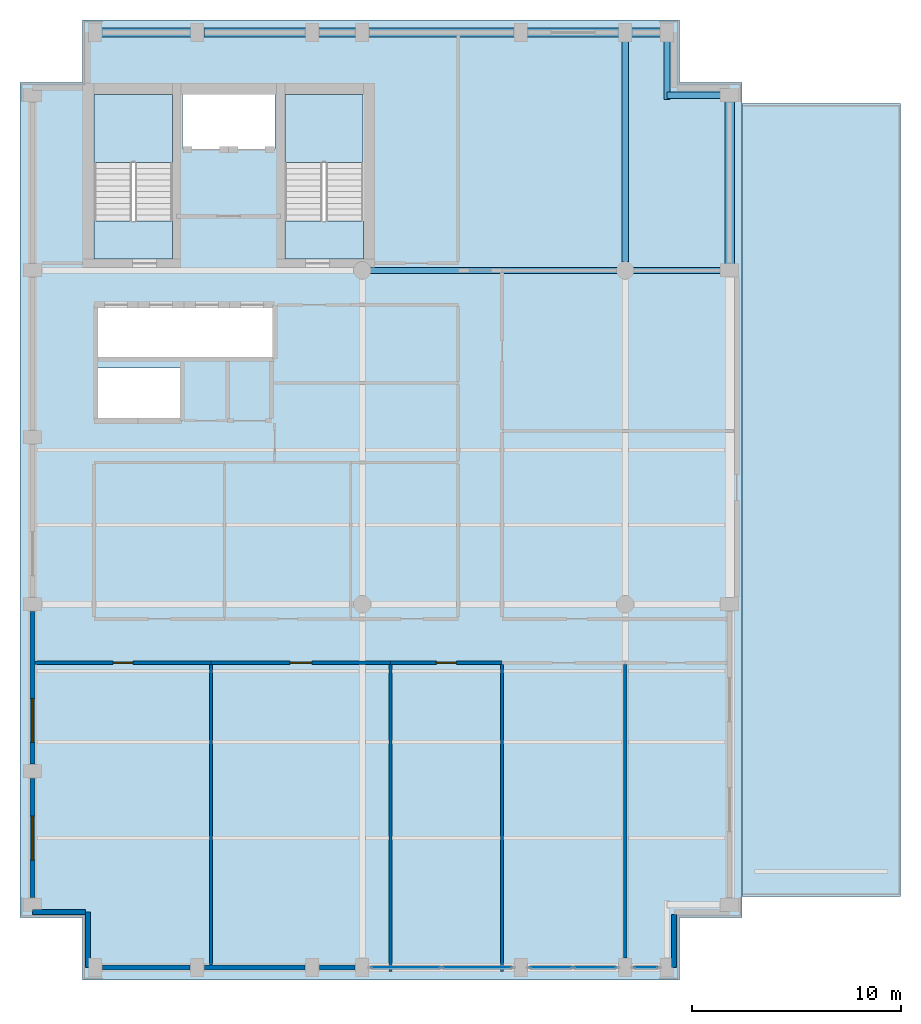
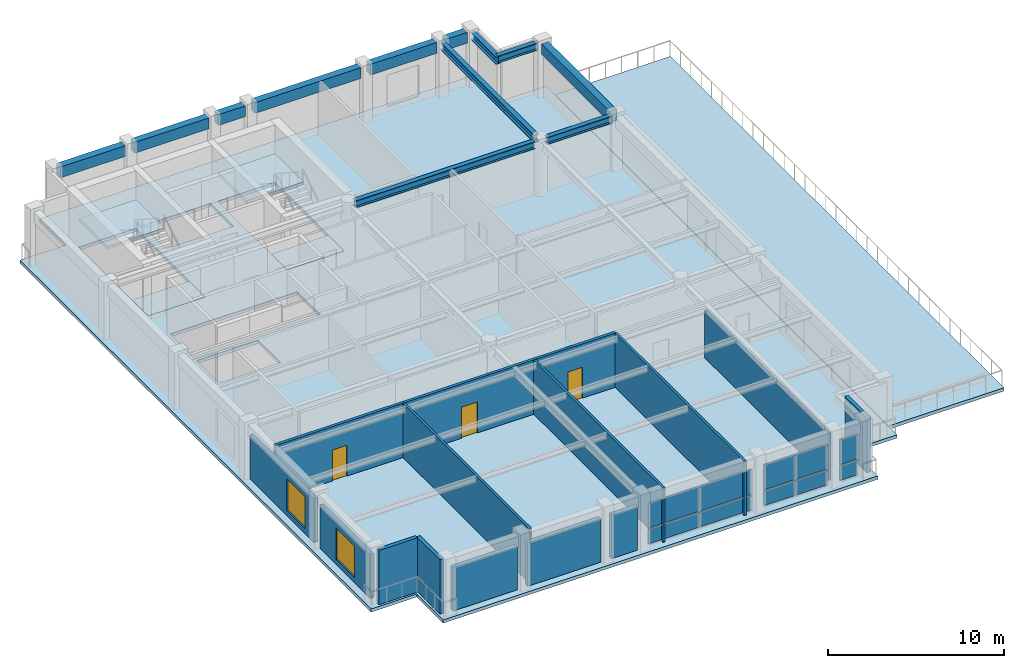
# One storey, part 3 of 9: 15 walls, 12 beams, 10 plates, 6 slabs, 3 doors, 2 windows, 5 openings, 5 elements without a shape of their own.
"""IFC4 building model written with IfcOpenShell, lengths in metres."""

from ifc_helpers import new_model, si_unit, direction, frame, frame_2d, origin, origin_2d, place, context, subcontext, project, spatial, polyline, rectangle, i_section, outline, extrude, material, layer, layer_set, material_profile, profile_set, type_object, element, fill, aggregate, save


model = new_model("IFC4")

# Units and contexts
model_context = context("Model", 3, precision=1e-05, world=origin(), true_north=direction((0.0, 1.0)))
body_context = subcontext(model_context, "Body", "Model", "MODEL_VIEW")
ifc_project = project(units=[si_unit("LENGTHUNIT", "METRE"), si_unit("AREAUNIT", "SQUARE_METRE"), si_unit("VOLUMEUNIT", "CUBIC_METRE"), si_unit("PLANEANGLEUNIT", "RADIAN"), si_unit("MASSUNIT", "GRAM", prefix="KILO")], contexts=[model_context])

# Site, building, storey
site_placement = place(None, origin())
site = spatial("IfcSite", under=ifc_project, at=site_placement, CompositionType="ELEMENT")
building_placement = place(site_placement, origin())
building = spatial("IfcBuilding", under=site, at=building_placement, Name="Sulina Concourse Tower", CompositionType="ELEMENT")
storey_placement = place(building_placement, frame((0.0, 0.0, 305.0)))
storey = spatial("IfcBuildingStorey", under=building, at=storey_placement, Name="L74", CompositionType="ELEMENT", Elevation=305.0)

# Beams
ifc_material_1 = material(Name="Steel S355", Category="steel")
ifc_material_profile_1 = material_profile(ifc_material_1, i_section(OverallWidth=0.300048828125, OverallDepth=0.5, WebThickness=0.014404296875, FlangeThickness=0.028076171875, at=origin_2d()), Name="HE 500 B")
ifc_profile_set_1 = profile_set([ifc_material_profile_1], Name="Steel S355")
beam_type_1 = type_object("IfcBeamType", Name="Crown & Canopy Primary Girder HE500B", PredefinedType="BEAM", material=ifc_profile_set_1)
beam_1_placement = place(storey_placement, frame((31.0, 42.39990234375, 3.52490234375), z_axis=(1.0, 0.0, 0.0), x_axis=(0.0, 1.0, 0.0)))
element("IfcBeam", 1, at=beam_1_placement, inside=storey, type_object=beam_type_1, Name="TIE-NE-L74", PredefinedType="BEAM", context=body_context, shape_type="SweptSolid", body=[
    extrude(i_section(OverallWidth=0.300048828125, OverallDepth=0.5, WebThickness=0.014404296875, FlangeThickness=0.028076171875, at=origin_2d()), origin(), (0.0, 0.0, 1.0), 2.695068359375),
])
beam_2_placement = place(storey_placement, frame((31.0, 42.199951171875, 3.52490234375), z_axis=(0.0, 1.0, 0.0), x_axis=(-1.0, 0.0, 0.0)))
element("IfcBeam", 2, at=beam_2_placement, inside=storey, type_object=beam_type_1, Name="TIE-NEN-L74", PredefinedType="BEAM", context=body_context, shape_type="SweptSolid", body=[
    extrude(i_section(OverallWidth=0.300048828125, OverallDepth=0.5, WebThickness=0.014404296875, FlangeThickness=0.028076171875, at=origin_2d()), origin(), (0.0, 0.0, 1.0), 2.89501953125),
])
beam_3_placement = place(storey_placement, frame((16.804931640625, 34.0, 3.52490234375), z_axis=(1.0, 0.0, 0.0), x_axis=(0.0, 1.0, 0.0)))
element("IfcBeam", 3, at=beam_3_placement, inside=storey, type_object=beam_type_1, Name="FG-EWN2-L74", PredefinedType="BEAM", context=body_context, shape_type="SweptSolid", body=[
    extrude(i_section(OverallWidth=0.300048828125, OverallDepth=0.5, WebThickness=0.014404296875, FlangeThickness=0.028076171875, at=origin_2d()), origin(), (0.0, 0.0, 1.0), 11.7900390625),
])
beam_4_placement = place(storey_placement, frame((29.405029296875, 34.0, 3.52490234375), z_axis=(1.0, 0.0, 0.0), x_axis=(0.0, 1.0, 0.0)))
element("IfcBeam", 4, at=beam_4_placement, inside=storey, type_object=beam_type_1, Name="FG-EWN3-L74", PredefinedType="BEAM", context=body_context, shape_type="SweptSolid", body=[
    extrude(i_section(OverallWidth=0.300048828125, OverallDepth=0.5, WebThickness=0.014404296875, FlangeThickness=0.028076171875, at=origin_2d()), origin(), (0.0, 0.0, 1.0), 4.2900390625),
])
beam_5_placement = place(storey_placement, frame((29.0, 34.405029296875, 3.52490234375), z_axis=(0.0, 1.0, 0.0), x_axis=(-1.0, 0.0, 0.0)))
element("IfcBeam", 5, at=beam_5_placement, inside=storey, type_object=beam_type_1, Name="FG-NSC-29-L74", PredefinedType="BEAM", context=body_context, shape_type="SweptSolid", body=[
    extrude(i_section(OverallWidth=0.300048828125, OverallDepth=0.5, WebThickness=0.014404296875, FlangeThickness=0.028076171875, at=origin_2d()), origin(), (0.0, 0.0, 1.0), 10.68994140625),
])
ifc_material_2 = material(Name="Precast concrete C50/60", Category="concrete")
ifc_material_profile_2 = material_profile(ifc_material_2, rectangle(XDim=0.449951171875, YDim=0.75, at=origin_2d()), Name="RC 450x750")
ifc_profile_set_2 = profile_set([ifc_material_profile_2], Name="Precast concrete C50/60")
beam_type_2 = type_object("IfcBeamType", Name="Upper Precast Spandrel Edge Beam 450x750", PredefinedType="BEAM", material=ifc_profile_set_2)
beam_6_placement = place(storey_placement, frame((3.905029296875, 45.39990234375, 3.39990234375), z_axis=(1.0, 0.0, 0.0), x_axis=(0.0, 1.0, 0.0)))
element("IfcBeam", 6, at=beam_6_placement, inside=storey, type_object=beam_type_2, Name="SP-N1-L74", PredefinedType="BEAM", context=body_context, shape_type="SweptSolid", body=[
    extrude(rectangle(XDim=0.449951171875, YDim=0.75, at=origin_2d()), origin(), (0.0, 0.0, 1.0), 4.2900390625),
])
beam_7_placement = place(storey_placement, frame((8.804931640625, 45.39990234375, 3.39990234375), z_axis=(1.0, 0.0, 0.0), x_axis=(0.0, 1.0, 0.0)))
element("IfcBeam", 7, at=beam_7_placement, inside=storey, type_object=beam_type_2, Name="SP-N2-L74", PredefinedType="BEAM", context=body_context, shape_type="SweptSolid", body=[
    extrude(rectangle(XDim=0.449951171875, YDim=0.75, at=origin_2d()), origin(), (0.0, 0.0, 1.0), 4.89013671875),
])
beam_8_placement = place(storey_placement, frame((14.304931640625, 45.39990234375, 3.39990234375), z_axis=(1.0, 0.0, 0.0), x_axis=(0.0, 1.0, 0.0)))
element("IfcBeam", 8, at=beam_8_placement, inside=storey, type_object=beam_type_2, Name="SP-N3-L74", PredefinedType="BEAM", context=body_context, shape_type="SweptSolid", body=[
    extrude(rectangle(XDim=0.449951171875, YDim=0.75, at=origin_2d()), origin(), (0.0, 0.0, 1.0), 1.7900390625),
])
beam_9_placement = place(storey_placement, frame((16.705078125, 45.39990234375, 3.39990234375), z_axis=(1.0, 0.0, 0.0), x_axis=(0.0, 1.0, 0.0)))
element("IfcBeam", 9, at=beam_9_placement, inside=storey, type_object=beam_type_2, Name="SP-N4-L74", PredefinedType="BEAM", context=body_context, shape_type="SweptSolid", body=[
    extrude(rectangle(XDim=0.449951171875, YDim=0.75, at=origin_2d()), origin(), (0.0, 0.0, 1.0), 6.989990234375),
])
beam_10_placement = place(storey_placement, frame((24.304931640625, 45.39990234375, 3.39990234375), z_axis=(1.0, 0.0, 0.0), x_axis=(0.0, 1.0, 0.0)))
element("IfcBeam", 10, at=beam_10_placement, inside=storey, type_object=beam_type_2, Name="SP-N5-L74", PredefinedType="BEAM", context=body_context, shape_type="SweptSolid", body=[
    extrude(rectangle(XDim=0.449951171875, YDim=0.75, at=origin_2d()), origin(), (0.0, 0.0, 1.0), 4.39013671875),
])
beam_11_placement = place(storey_placement, frame((29.304931640625, 45.39990234375, 3.39990234375), z_axis=(1.0, 0.0, 0.0), x_axis=(0.0, 1.0, 0.0)))
element("IfcBeam", 11, at=beam_11_placement, inside=storey, type_object=beam_type_2, Name="SP-N6-L74", PredefinedType="BEAM", context=body_context, shape_type="SweptSolid", body=[
    extrude(rectangle(XDim=0.449951171875, YDim=0.75, at=origin_2d()), origin(), (0.0, 0.0, 1.0), 1.39013671875),
])
beam_12_placement = place(storey_placement, frame((34.0, 34.304931640625, 3.39990234375), z_axis=(0.0, 1.0, 0.0), x_axis=(-1.0, 0.0, 0.0)))
element("IfcBeam", 12, at=beam_12_placement, inside=storey, type_object=beam_type_2, Name="SP-E3-L74", PredefinedType="BEAM", context=body_context, shape_type="SweptSolid", body=[
    extrude(rectangle(XDim=0.449951171875, YDim=0.75, at=origin_2d()), origin(), (0.0, 0.0, 1.0), 7.7900390625),
])

# Slabs
ifc_material_3 = material(Name="Concrete C50/60", Category="concrete")
ifc_layer_1 = layer(ifc_material_3, 0.22509765625)
ifc_layer_set_1 = layer_set([ifc_layer_1], Name="Concrete C50/60")
slab_type_1 = type_object("IfcSlabType", Name="Crown & Observation Floor Slab 225mm", PredefinedType="FLOOR", material=ifc_layer_set_1)
slab_1_placement = place(storey_placement, frame((0.0, 0.0, -0.22509765625)))
element("IfcSlab", 13, at=slab_1_placement, inside=storey, type_object=slab_type_1, Name="L74 structural floor slab", PredefinedType="FLOOR", context=body_context, shape_type="SweptSolid", body=[
    extrude(outline(polyline([(3.0, 0.0), (31.60009765625, 0.0), (31.60009765625, 3.0), (34.60009765625, 3.0), (34.60009765625, 43.0), (31.60009765625, 43.0), (31.60009765625, 46.0), (3.0, 46.0), (3.0, 43.0), (0.0, 43.0), (0.0, 3.0), (3.0, 3.0), (3.0, 0.0)]), holes=[polyline([(7.31005859375, 34.550048828125), (7.31005859375, 42.429931640625), (3.550048828125, 42.429931640625), (3.550048828125, 34.550048828125), (7.31005859375, 34.550048828125)]), polyline([(16.449951171875, 34.550048828125), (16.449951171875, 42.429931640625), (12.68994140625, 42.429931640625), (12.68994140625, 34.550048828125), (16.449951171875, 34.550048828125)]), polyline([(7.780029296875, 39.830078125), (12.219970703125, 39.830078125), (12.219970703125, 42.449951171875), (7.780029296875, 42.449951171875), (7.780029296875, 39.830078125)]), polyline([(3.739990234375, 26.780029296875), (7.77001953125, 26.780029296875), (7.77001953125, 29.320068359375), (3.739990234375, 29.320068359375), (3.739990234375, 26.780029296875)]), polyline([(3.739990234375, 29.780029296875), (12.10009765625, 29.780029296875), (12.10009765625, 32.3701171875), (3.739990234375, 32.3701171875), (3.739990234375, 29.780029296875)])]), origin(), (0.0, 0.0, 1.0), 0.22509765625),
])
ifc_material_4 = material(Name="Precast concrete C50/60", Category="concrete")
ifc_layer_2 = layer(ifc_material_4, 0.235107421875)
ifc_layer_set_2 = layer_set([ifc_layer_2], Name="Precast concrete C50/60")
slab_type_2 = type_object("IfcSlabType", Name="Crown Stepped Terrace & Pool Deck Slab 235mm", PredefinedType="FLOOR", material=ifc_layer_set_2)
slab_2_placement = place(storey_placement, frame((0.0, 0.0, -0.235107421875)))
element("IfcSlab", 14, at=slab_2_placement, inside=storey, type_object=slab_type_2, Name="L74 outdoor terrace slab TER-CR3", PredefinedType="FLOOR", context=body_context, shape_type="SweptSolid", body=[
    extrude(outline(polyline([(34.60009765625, 4.0), (42.199951171875, 4.0), (42.199951171875, 42.0), (34.60009765625, 42.0), (34.60009765625, 4.0)])), origin(), (0.0, 0.0, 1.0), 0.235107421875),
])
ifc_material_5 = material(Name="Concrete C50/60", Category="concrete")
ifc_layer_3 = layer(ifc_material_5, 0.199951171875)
ifc_layer_set_3 = layer_set([ifc_layer_3], Name="Concrete C50/60")
slab_type_3 = type_object("IfcSlabType", Name="Primary Core Stair Landing Slab 200mm", PredefinedType="LANDING", material=ifc_layer_set_3)
slab_3_placement = place(storey_placement, frame((0.0, 0.0, -0.199951171875)))
element("IfcSlab", 15, at=slab_3_placement, inside=storey, type_object=slab_type_3, Name="L74 ST-1 floor landing slab", PredefinedType="LANDING", context=body_context, shape_type="SweptSolid", body=[
    extrude(outline(polyline([(7.31005859375, 34.550048828125), (7.31005859375, 36.375), (3.550048828125, 36.375), (3.550048828125, 34.550048828125), (7.31005859375, 34.550048828125)])), origin(), (0.0, 0.0, 1.0), 0.199951171875),
])
slab_4_placement = place(storey_placement, frame((0.0, 0.0, -0.199951171875)))
element("IfcSlab", 16, at=slab_4_placement, inside=storey, type_object=slab_type_3, Name="L74 ST-2 floor landing slab", PredefinedType="LANDING", context=body_context, shape_type="SweptSolid", body=[
    extrude(outline(polyline([(16.449951171875, 34.550048828125), (16.449951171875, 36.375), (12.68994140625, 36.375), (12.68994140625, 34.550048828125), (16.449951171875, 34.550048828125)])), origin(), (0.0, 0.0, 1.0), 0.199951171875),
])

# Stair, slab
ifc_material_6 = material(Name="Concrete C50/60", Category="concrete")
stair_type = type_object("IfcStairType", Name="Primary Core Dog-Leg Exit Stair 1800mm", PredefinedType="HALF_TURN_STAIR", material=ifc_material_6)
stair_1_placement = place(storey_placement, origin())
stair_1 = element("IfcStair", 17, at=stair_1_placement, inside=storey, type_object=stair_type, Name="L74 ST-1", PredefinedType="HALF_TURN_STAIR")
slab_5_placement = place(storey_placement, frame((0.0, 0.0, 1.800048828125)))
slab_5 = element("IfcSlab", 18, at=slab_5_placement, type_object=slab_type_3, Name="ST-1 landing 1", PredefinedType="LANDING", context=body_context, shape_type="SweptSolid", body=[
    extrude(outline(polyline([(7.304931640625, 39.175048828125), (7.304931640625, 42.425048828125), (3.554931640625, 42.425048828125), (3.554931640625, 39.175048828125), (7.304931640625, 39.175048828125)])), origin(), (0.0, 0.0, 1.0), 0.199951171875),
])
aggregate(stair_1, [slab_5])

stair_2_placement = place(storey_placement, origin())
stair_2 = element("IfcStair", 19, at=stair_2_placement, inside=storey, type_object=stair_type, Name="L74 ST-2", PredefinedType="HALF_TURN_STAIR")
slab_6_placement = place(storey_placement, frame((0.0, 0.0, 1.800048828125)))
slab_6 = element("IfcSlab", 20, at=slab_6_placement, type_object=slab_type_3, Name="ST-2 landing 1", PredefinedType="LANDING", context=body_context, shape_type="SweptSolid", body=[
    extrude(outline(polyline([(16.445068359375, 39.175048828125), (16.445068359375, 42.425048828125), (12.695068359375, 42.425048828125), (12.695068359375, 39.175048828125), (16.445068359375, 39.175048828125)])), origin(), (0.0, 0.0, 1.0), 0.199951171875),
])
aggregate(stair_2, [slab_6])

# Curtain wall, plates
ifc_material_7 = material(Name="Anodised bronze aluminium", Category="aluminium")
ifc_layer_4 = layer(ifc_material_7, 0.27001953125)
ifc_layer_set_4 = layer_set([ifc_layer_4], Name="Anodised bronze aluminium")
curtain_wall_type = type_object("IfcCurtainWallType", Name="Stepped Crown Observation Curtain Wall System", PredefinedType="NOTDEFINED", material=ifc_layer_set_4)
curtain_wall_1_placement = place(storey_placement, origin())
curtain_wall_1 = element("IfcCurtainWall", 21, at=curtain_wall_1_placement, inside=storey, type_object=curtain_wall_type, Name="L74 glazed curtain wall S4", PredefinedType="NOTDEFINED")
ifc_material_8 = material(Name="Ultra-clear observation triple glazing", Category="glass")
ifc_layer_5 = layer(ifc_material_8, 0.0439453125)
ifc_layer_set_5 = layer_set([ifc_layer_5], Name="Ultra-clear observation triple glazing")
plate_type = type_object("IfcPlateType", Name="Stepped Crown Observation Curtain Wall System Glazed Panel 44mm", PredefinedType="CURTAIN_PANEL", material=ifc_layer_set_5)
plate_1_placement = place(storey_placement, frame((21.90625, 0.60009765625, 0.0849609375), z_axis=(0.0, 0.0, 1.0), x_axis=(-1.0, 0.0, 0.0)))
plate_1 = element("IfcPlate", 22, at=plate_1_placement, type_object=plate_type, Name="CW-06 panel 1.1", PredefinedType="CURTAIN_PANEL", context=body_context, shape_type="SweptSolid", body=[
    extrude(rectangle(XDim=3.327392578125, YDim=0.0439453125, at=origin_2d()), origin(), (0.0, 0.0, 1.0), 1.02197265625),
])
plate_2_placement = place(storey_placement, frame((21.90625, 0.60009765625, 1.19189453125), z_axis=(0.0, 0.0, 1.0), x_axis=(-1.0, 0.0, 0.0)))
plate_2 = element("IfcPlate", 23, at=plate_2_placement, type_object=plate_type, Name="CW-06 panel 1.2", PredefinedType="CURTAIN_PANEL", context=body_context, shape_type="SweptSolid", body=[
    extrude(rectangle(XDim=3.327392578125, YDim=0.0439453125, at=origin_2d()), origin(), (0.0, 0.0, 1.0), 1.748046875),
])
plate_3_placement = place(storey_placement, frame((18.49365234375, 0.60009765625, 0.0849609375), z_axis=(0.0, 0.0, 1.0), x_axis=(-1.0, 0.0, 0.0)))
plate_3 = element("IfcPlate", 24, at=plate_3_placement, type_object=plate_type, Name="CW-06 panel 2.1", PredefinedType="CURTAIN_PANEL", context=body_context, shape_type="SweptSolid", body=[
    extrude(rectangle(XDim=3.327392578125, YDim=0.0439453125, at=origin_2d()), origin(), (0.0, 0.0, 1.0), 1.02197265625),
])
plate_4_placement = place(storey_placement, frame((18.49365234375, 0.60009765625, 1.19189453125), z_axis=(0.0, 0.0, 1.0), x_axis=(-1.0, 0.0, 0.0)))
plate_4 = element("IfcPlate", 25, at=plate_4_placement, type_object=plate_type, Name="CW-06 panel 2.2", PredefinedType="CURTAIN_PANEL", context=body_context, shape_type="SweptSolid", body=[
    extrude(rectangle(XDim=3.327392578125, YDim=0.0439453125, at=origin_2d()), origin(), (0.0, 0.0, 1.0), 1.748046875),
])
aggregate(curtain_wall_1, [plate_1, plate_2, plate_3, plate_4])

curtain_wall_2_placement = place(storey_placement, origin())
curtain_wall_2 = element("IfcCurtainWall", 26, at=curtain_wall_2_placement, inside=storey, type_object=curtain_wall_type, Name="L74 glazed curtain wall S5", PredefinedType="NOTDEFINED")
plate_5_placement = place(storey_placement, frame((27.55615234375, 0.60009765625, 0.0849609375), z_axis=(0.0, 0.0, 1.0), x_axis=(-1.0, 0.0, 0.0)))
plate_5 = element("IfcPlate", 27, at=plate_5_placement, type_object=plate_type, Name="CW-06 panel 1.1", PredefinedType="CURTAIN_PANEL", context=body_context, shape_type="SweptSolid", body=[
    extrude(rectangle(XDim=2.027587890625, YDim=0.0439453125, at=origin_2d()), origin(), (0.0, 0.0, 1.0), 1.02197265625),
])
plate_6_placement = place(storey_placement, frame((27.55615234375, 0.60009765625, 1.19189453125), z_axis=(0.0, 0.0, 1.0), x_axis=(-1.0, 0.0, 0.0)))
plate_6 = element("IfcPlate", 28, at=plate_6_placement, type_object=plate_type, Name="CW-06 panel 1.2", PredefinedType="CURTAIN_PANEL", context=body_context, shape_type="SweptSolid", body=[
    extrude(rectangle(XDim=2.027587890625, YDim=0.0439453125, at=origin_2d()), origin(), (0.0, 0.0, 1.0), 1.748046875),
])
plate_7_placement = place(storey_placement, frame((25.44384765625, 0.60009765625, 0.0849609375), z_axis=(0.0, 0.0, 1.0), x_axis=(-1.0, 0.0, 0.0)))
plate_7 = element("IfcPlate", 29, at=plate_7_placement, type_object=plate_type, Name="CW-06 panel 2.1", PredefinedType="CURTAIN_PANEL", context=body_context, shape_type="SweptSolid", body=[
    extrude(rectangle(XDim=2.027587890625, YDim=0.0439453125, at=origin_2d()), origin(), (0.0, 0.0, 1.0), 1.02197265625),
])
plate_8_placement = place(storey_placement, frame((25.44384765625, 0.60009765625, 1.19189453125), z_axis=(0.0, 0.0, 1.0), x_axis=(-1.0, 0.0, 0.0)))
plate_8 = element("IfcPlate", 30, at=plate_8_placement, type_object=plate_type, Name="CW-06 panel 2.2", PredefinedType="CURTAIN_PANEL", context=body_context, shape_type="SweptSolid", body=[
    extrude(rectangle(XDim=2.027587890625, YDim=0.0439453125, at=origin_2d()), origin(), (0.0, 0.0, 1.0), 1.748046875),
])
aggregate(curtain_wall_2, [plate_5, plate_6, plate_7, plate_8])

curtain_wall_3_placement = place(storey_placement, origin())
curtain_wall_3 = element("IfcCurtainWall", 31, at=curtain_wall_3_placement, inside=storey, type_object=curtain_wall_type, Name="L74 glazed curtain wall S6", PredefinedType="NOTDEFINED")
plate_9_placement = place(storey_placement, frame((30.0, 0.60009765625, 0.0849609375), z_axis=(0.0, 0.0, 1.0), x_axis=(-1.0, 0.0, 0.0)))
plate_9 = element("IfcPlate", 32, at=plate_9_placement, type_object=plate_type, Name="CW-06 panel 1.1", PredefinedType="CURTAIN_PANEL", context=body_context, shape_type="SweptSolid", body=[
    extrude(rectangle(XDim=1.139892578125, YDim=0.0439453125, at=origin_2d()), origin(), (0.0, 0.0, 1.0), 1.02197265625),
])
plate_10_placement = place(storey_placement, frame((30.0, 0.60009765625, 1.19189453125), z_axis=(0.0, 0.0, 1.0), x_axis=(-1.0, 0.0, 0.0)))
plate_10 = element("IfcPlate", 33, at=plate_10_placement, type_object=plate_type, Name="CW-06 panel 1.2", PredefinedType="CURTAIN_PANEL", context=body_context, shape_type="SweptSolid", body=[
    extrude(rectangle(XDim=1.139892578125, YDim=0.0439453125, at=origin_2d()), origin(), (0.0, 0.0, 1.0), 1.748046875),
])
aggregate(curtain_wall_3, [plate_9, plate_10])

# Walls
ifc_material_9 = material(Name="Precast concrete C50/60", Category="concrete")
ifc_layer_6 = layer(ifc_material_9, 0.239990234375)
ifc_layer_set_6 = layer_set([ifc_layer_6], Name="Precast concrete C50/60")
wall_type_1 = type_object("IfcWallType", Name="Crown Precast Masonry-Frame Facade Wall 240mm", PredefinedType="SOLIDWALL", material=ifc_layer_set_6)
wall_1_placement = place(storey_placement, frame((8.155029296875, 0.60009765625, 0.0), z_axis=(0.0, 0.0, 1.0), x_axis=(-1.0, 0.0, 0.0)))
element("IfcWall", 34, at=wall_1_placement, inside=storey, type_object=wall_type_1, Name="L74 exterior precast wall S1", PredefinedType="SOLIDWALL", context=body_context, shape_type="SweptSolid", body=[
    extrude(rectangle(XDim=4.2099609375, YDim=0.239990234375, at=frame_2d((2.10498046875, 0.0))), origin(), (0.0, 0.0, 1.0), 3.02490234375),
])
wall_2_placement = place(storey_placement, frame((13.655029296875, 0.60009765625, 0.0), z_axis=(0.0, 0.0, 1.0), x_axis=(-1.0, 0.0, 0.0)))
element("IfcWall", 35, at=wall_2_placement, inside=storey, type_object=wall_type_1, Name="L74 exterior precast wall S2", PredefinedType="SOLIDWALL", context=body_context, shape_type="SweptSolid", body=[
    extrude(rectangle(XDim=4.81005859375, YDim=0.239990234375, at=frame_2d((2.405029296875, 0.0))), origin(), (0.0, 0.0, 1.0), 3.02490234375),
])
wall_3_placement = place(storey_placement, frame((16.054931640625, 0.60009765625, 0.0), z_axis=(0.0, 0.0, 1.0), x_axis=(-1.0, 0.0, 0.0)))
element("IfcWall", 36, at=wall_3_placement, inside=storey, type_object=wall_type_1, Name="L74 exterior precast wall S3", PredefinedType="SOLIDWALL", context=body_context, shape_type="SweptSolid", body=[
    extrude(rectangle(XDim=1.7099609375, YDim=0.239990234375, at=frame_2d((0.85498046875, 0.0))), origin(), (0.0, 0.0, 1.0), 3.02490234375),
])

# Wall, opening, window
wall_4_placement = place(storey_placement, frame((0.60009765625, 3.945068359375, 0.0), z_axis=(0.0, 0.0, 1.0), x_axis=(0.0, 1.0, 0.0)))
wall_4 = element("IfcWall", 37, at=wall_4_placement, inside=storey, type_object=wall_type_1, Name="L74 exterior precast wall W1", PredefinedType="SOLIDWALL", context=body_context, shape_type="SweptSolid", body=[
    extrude(rectangle(XDim=5.7099609375, YDim=0.239990234375, at=frame_2d((2.85498046875, 0.0))), origin(), (0.0, 0.0, 1.0), 3.02490234375),
])
opening_1_placement = place(wall_4_placement, frame((1.804931640625, 0.0, 0.35009765625)))
opening_1 = element("IfcOpeningElement", 38, at=opening_1_placement, cuts=wall_4, Name="Opening WN-33", PredefinedType="OPENING", context=body_context, shape_type="SweptSolid", body=[
    extrude(rectangle(XDim=2.10009765625, YDim=2.199951171875, at=frame_2d((1.050048828125, 1.10009765625))), frame((0.0, 0.1298828125, 0.0), z_axis=(0.0, -1.0, 0.0), x_axis=(1.0, 0.0, 0.0)), (0.0, 0.0, 1.0), 0.260009765625),
])
ifc_material_10 = material(Name="Low-E solar double glazing in bronze aluminium", Category="aluminium")
window_type = type_object("IfcWindowType", Name="Punched Masonry-Frame Window 2100x2200", PartitioningType="DOUBLE_PANEL_VERTICAL", PredefinedType="WINDOW", material=ifc_material_10)
window_1_placement = place(opening_1_placement, origin())
window_1 = element("IfcWindow", 39, at=window_1_placement, inside=storey, type_object=window_type, Name="L74 punched window W1-1", OverallHeight=2.199951171875, OverallWidth=2.10009765625, PartitioningType="SINGLE_PANEL", PredefinedType="WINDOW", context=body_context, shape_type="SweptSolid", body=[
    extrude(rectangle(XDim=2.10009765625, YDim=2.199951171875, at=frame_2d((1.050048828125, 1.10009765625))), frame((0.0, 0.030029296875, 0.0), z_axis=(0.0, -1.0, 0.0), x_axis=(1.0, 0.0, 0.0)), (0.0, 0.0, 1.0), 0.06005859375),
])
fill(opening_1, window_1)

wall_5_placement = place(storey_placement, frame((0.60009765625, 10.344970703125, 0.0), z_axis=(0.0, 0.0, 1.0), x_axis=(0.0, 1.0, 0.0)))
wall_5 = element("IfcWall", 40, at=wall_5_placement, inside=storey, type_object=wall_type_1, Name="L74 exterior precast wall W2", PredefinedType="SOLIDWALL", context=body_context, shape_type="SweptSolid", body=[
    extrude(rectangle(XDim=7.31005859375, YDim=0.239990234375, at=frame_2d((3.655029296875, 0.0))), origin(), (0.0, 0.0, 1.0), 3.02490234375),
])
opening_2_placement = place(wall_5_placement, frame((1.03662109375, 0.0, 0.35009765625)))
opening_2 = element("IfcOpeningElement", 41, at=opening_2_placement, cuts=wall_5, Name="Opening WN-33", PredefinedType="OPENING", context=body_context, shape_type="SweptSolid", body=[
    extrude(rectangle(XDim=2.10009765625, YDim=2.199951171875, at=frame_2d((1.050048828125, 1.10009765625))), frame((0.0, 0.1298828125, 0.0), z_axis=(0.0, -1.0, 0.0), x_axis=(1.0, 0.0, 0.0)), (0.0, 0.0, 1.0), 0.260009765625),
])
window_2_placement = place(opening_2_placement, origin())
window_2 = element("IfcWindow", 42, at=window_2_placement, inside=storey, type_object=window_type, Name="L74 punched window W2-1", OverallHeight=2.199951171875, OverallWidth=2.10009765625, PartitioningType="SINGLE_PANEL", PredefinedType="WINDOW", context=body_context, shape_type="SweptSolid", body=[
    extrude(rectangle(XDim=2.10009765625, YDim=2.199951171875, at=frame_2d((1.050048828125, 1.10009765625))), frame((0.0, 0.030029296875, 0.0), z_axis=(0.0, -1.0, 0.0), x_axis=(1.0, 0.0, 0.0)), (0.0, 0.0, 1.0), 0.06005859375),
])
fill(opening_2, window_2)

# Walls
wall_6_placement = place(storey_placement, frame((31.344970703125, 3.1298828125, 0.0), z_axis=(0.0, 0.0, 1.0), x_axis=(0.0, -1.0, 0.0)))
element("IfcWall", 43, at=wall_6_placement, inside=storey, type_object=wall_type_1, Name="L74 exterior precast wall CSE2", PredefinedType="SOLIDWALL", context=body_context, shape_type="SweptSolid", body=[
    extrude(rectangle(XDim=2.52978515625, YDim=0.239990234375, at=frame_2d((1.264892578125, 0.0))), origin(), (0.0, 0.0, 1.0), 3.77490234375),
])
wall_7_placement = place(storey_placement, frame((3.2548828125, 0.60009765625, 0.0), z_axis=(0.0, 0.0, 1.0), x_axis=(0.0, 1.0, 0.0)))
element("IfcWall", 44, at=wall_7_placement, inside=storey, type_object=wall_type_1, Name="L74 exterior precast wall CSW1", PredefinedType="SOLIDWALL", context=body_context, shape_type="SweptSolid", body=[
    extrude(rectangle(XDim=2.65478515625, YDim=0.239990234375, at=frame_2d((1.327392578125, 0.0))), origin(), (0.0, 0.0, 1.0), 3.77490234375),
])
wall_8_placement = place(storey_placement, frame((3.1298828125, 3.2548828125, 0.0), z_axis=(0.0, 0.0, 1.0), x_axis=(-1.0, 0.0, 0.0)))
element("IfcWall", 45, at=wall_8_placement, inside=storey, type_object=wall_type_1, Name="L74 exterior precast wall CSW2", PredefinedType="SOLIDWALL", context=body_context, shape_type="SweptSolid", body=[
    extrude(rectangle(XDim=2.52978515625, YDim=0.239990234375, at=frame_2d((1.264892578125, 0.0))), origin(), (0.0, 0.0, 1.0), 3.77490234375),
])
ifc_material_11 = material(Name="Gypsum board on steel stud", Category="steel")
ifc_layer_7 = layer(ifc_material_11, 0.14990234375)
ifc_layer_set_7 = layer_set([ifc_layer_7], Name="Gypsum board on steel stud")
wall_type_2 = type_object("IfcWallType", Name="Inter-Tenancy Acoustic Partition 150mm", PredefinedType="PARTITIONING", material=ifc_layer_set_7)
wall_9_placement = place(storey_placement, frame((9.159912109375, 0.719970703125, 0.0), z_axis=(0.0, 0.0, 1.0), x_axis=(0.0, 1.0, 0.0)))
element("IfcWall", 46, at=wall_9_placement, inside=storey, type_object=wall_type_2, Name="L74 interior partition 026", PredefinedType="PARTITIONING", context=body_context, shape_type="SweptSolid", body=[
    extrude(rectangle(XDim=14.39013671875, YDim=0.14990234375, at=frame_2d((7.195068359375, 0.0))), origin(), (0.0, 0.0, 1.0), 3.77490234375),
])
for number, where, z_axis, x_axis, name in (
    (47, (17.760009765625, 0.39990234375, 0.0), (0.0, 0.0, 1.0), (0.0, 1.0, 0.0), "L74 interior partition 032"),
    (48, (23.10009765625, 0.39990234375, 0.0), (0.0, 0.0, 1.0), (0.0, 1.0, 0.0), "L74 interior partition 037"),
):
    element("IfcWall", number, at=place(storey_placement, frame(where, z_axis=z_axis, x_axis=x_axis)), inside=storey, type_object=wall_type_2, Name=name, PredefinedType="PARTITIONING", context=body_context, shape_type="SweptSolid", body=[
        extrude(rectangle(XDim=14.710205078125, YDim=0.14990234375, at=frame_2d((7.35498046875, 0.0))), origin(), (0.0, 0.0, 1.0), 3.77490234375),
    ])
wall_10_placement = place(storey_placement, frame((29.0, 1.050048828125, 0.0), z_axis=(0.0, 0.0, 1.0), x_axis=(0.0, 1.0, 0.0)))
element("IfcWall", 49, at=wall_10_placement, inside=storey, type_object=wall_type_2, Name="L74 interior partition 040", PredefinedType="PARTITIONING", context=body_context, shape_type="SweptSolid", body=[
    extrude(rectangle(XDim=14.06005859375, YDim=0.14990234375, at=frame_2d((7.030029296875, 0.0))), origin(), (0.0, 0.0, 1.0), 3.27001953125),
])

# Wall, opening, door
ifc_material_12 = material(Name="Gypsum board on steel stud", Category="steel")
ifc_layer_8 = layer(ifc_material_12, 0.179931640625)
ifc_layer_set_8 = layer_set([ifc_layer_8], Name="Gypsum board on steel stud")
wall_type_3 = type_object("IfcWallType", Name="Protected Corridor & Riser Partition 180mm", PredefinedType="PARTITIONING", material=ifc_layer_set_8)
wall_11_placement = place(storey_placement, frame((0.719970703125, 15.199951171875, 0.0), z_axis=(0.0, 0.0, 1.0), x_axis=(1.0, 0.0, 0.0)))
wall_11 = element("IfcWall", 50, at=wall_11_placement, inside=storey, type_object=wall_type_3, Name="L74 interior partition 001", PredefinedType="PARTITIONING", context=body_context, shape_type="SweptSolid", body=[
    extrude(rectangle(XDim=8.43994140625, YDim=0.179931640625, at=frame_2d((4.219970703125, 0.0))), origin(), (0.0, 0.0, 1.0), 3.77490234375),
])
opening_3_placement = place(wall_11_placement, frame((3.7451171875, 0.0, 0.0)))
opening_3 = element("IfcOpeningElement", 51, at=opening_3_placement, cuts=wall_11, Name="Opening DR-19", PredefinedType="OPENING", context=body_context, shape_type="SweptSolid", body=[
    extrude(rectangle(XDim=0.949951171875, YDim=2.14990234375, at=frame_2d((0.47509765625, 1.074951171875))), frame((0.0, 0.099853515625, 0.0), z_axis=(0.0, -1.0, 0.0), x_axis=(1.0, 0.0, 0.0)), (0.0, 0.0, 1.0), 0.199951171875),
])
ifc_material_13 = material(Name="Oak-veneered acoustic timber leaf", Category="wood")
ifc_layer_9 = layer(ifc_material_13, 0.050048828125)
ifc_layer_set_9 = layer_set([ifc_layer_9], Name="Oak-veneered acoustic timber leaf")
door_type_1 = type_object("IfcDoorType", Name="Cellular Office & Meeting Door 950x2150", OperationType="NOTDEFINED", PredefinedType="DOOR", material=ifc_layer_set_9)
door_1_placement = place(opening_3_placement, origin())
door_1 = element("IfcDoor", 52, at=door_1_placement, inside=storey, type_object=door_type_1, Name="L74 interior door L74-S01", OperationType="SINGLE_SWING_RIGHT", OverallHeight=2.14990234375, OverallWidth=0.949951171875, PredefinedType="DOOR", context=body_context, shape_type="SweptSolid", body=[
    extrude(rectangle(XDim=0.949951171875, YDim=2.14990234375, at=frame_2d((0.47509765625, 1.074951171875))), frame((0.0, 0.02490234375, 0.0), z_axis=(0.0, -1.0, 0.0), x_axis=(1.0, 0.0, 0.0)), (0.0, 0.0, 1.0), 0.050048828125),
])
fill(opening_3, door_1)

wall_12_placement = place(storey_placement, frame((9.159912109375, 15.199951171875, 0.0), z_axis=(0.0, 0.0, 1.0), x_axis=(1.0, 0.0, 0.0)))
wall_12 = element("IfcWall", 53, at=wall_12_placement, inside=storey, type_object=wall_type_3, Name="L74 interior partition 002", PredefinedType="PARTITIONING", context=body_context, shape_type="SweptSolid", body=[
    extrude(rectangle(XDim=8.60009765625, YDim=0.179931640625, at=frame_2d((4.300048828125, 0.0))), origin(), (0.0, 0.0, 1.0), 3.77490234375),
])
opening_4_placement = place(wall_12_placement, frame((3.77490234375, 0.0, 0.0)))
opening_4 = element("IfcOpeningElement", 54, at=opening_4_placement, cuts=wall_12, Name="Opening DR-37", PredefinedType="OPENING", context=body_context, shape_type="SweptSolid", body=[
    extrude(rectangle(XDim=1.050048828125, YDim=2.14990234375, at=frame_2d((0.52490234375, 1.074951171875))), frame((0.0, 0.099853515625, 0.0), z_axis=(0.0, -1.0, 0.0), x_axis=(1.0, 0.0, 0.0)), (0.0, 0.0, 1.0), 0.199951171875),
])
ifc_material_14 = material(Name="Oak-veneered fire door leaf")
ifc_layer_10 = layer(ifc_material_14, 0.050048828125)
ifc_layer_set_10 = layer_set([ifc_layer_10], Name="Oak-veneered fire door leaf")
door_type_2 = type_object("IfcDoorType", Name="Tenant Suite Entrance Fire Door 1050x2150", OperationType="NOTDEFINED", PredefinedType="DOOR", material=ifc_layer_set_10)
door_2_placement = place(opening_4_placement, origin())
door_2 = element("IfcDoor", 55, at=door_2_placement, inside=storey, type_object=door_type_2, Name="L74 interior door L74-S02", OperationType="SINGLE_SWING_LEFT", OverallHeight=2.14990234375, OverallWidth=1.050048828125, PredefinedType="DOOR", context=body_context, shape_type="SweptSolid", body=[
    extrude(rectangle(XDim=1.050048828125, YDim=2.14990234375, at=frame_2d((0.52490234375, 1.074951171875))), frame((0.0, 0.02490234375, 0.0), z_axis=(0.0, -1.0, 0.0), x_axis=(1.0, 0.0, 0.0)), (0.0, 0.0, 1.0), 0.050048828125),
])
fill(opening_4, door_2)

wall_13_placement = place(storey_placement, frame((17.760009765625, 15.199951171875, 0.0), z_axis=(0.0, 0.0, 1.0), x_axis=(1.0, 0.0, 0.0)))
wall_13 = element("IfcWall", 56, at=wall_13_placement, inside=storey, type_object=wall_type_3, Name="L74 interior partition 003", PredefinedType="PARTITIONING", context=body_context, shape_type="SweptSolid", body=[
    extrude(rectangle(XDim=5.340087890625, YDim=0.179931640625, at=frame_2d((2.669921875, 0.0))), origin(), (0.0, 0.0, 1.0), 3.77490234375),
])
opening_5_placement = place(wall_13_placement, frame((2.195068359375, 0.0, 0.0)))
opening_5 = element("IfcOpeningElement", 57, at=opening_5_placement, cuts=wall_13, Name="Opening DR-19", PredefinedType="OPENING", context=body_context, shape_type="SweptSolid", body=[
    extrude(rectangle(XDim=0.949951171875, YDim=2.14990234375, at=frame_2d((0.47509765625, 1.074951171875))), frame((0.0, 0.099853515625, 0.0), z_axis=(0.0, -1.0, 0.0), x_axis=(1.0, 0.0, 0.0)), (0.0, 0.0, 1.0), 0.199951171875),
])
door_3_placement = place(opening_5_placement, origin())
door_3 = element("IfcDoor", 58, at=door_3_placement, inside=storey, type_object=door_type_1, Name="L74 interior door L74-S03", OperationType="SINGLE_SWING_RIGHT", OverallHeight=2.14990234375, OverallWidth=0.949951171875, PredefinedType="DOOR", context=body_context, shape_type="SweptSolid", body=[
    extrude(rectangle(XDim=0.949951171875, YDim=2.14990234375, at=frame_2d((0.47509765625, 1.074951171875))), frame((0.0, 0.02490234375, 0.0), z_axis=(0.0, -1.0, 0.0), x_axis=(1.0, 0.0, 0.0)), (0.0, 0.0, 1.0), 0.050048828125),
])
fill(opening_5, door_3)

save(model, "model.ifc")
